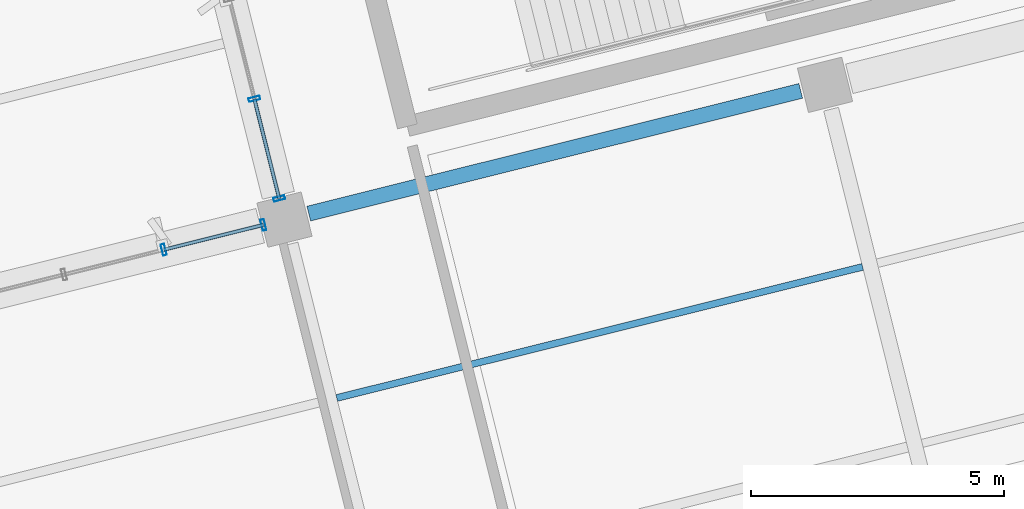
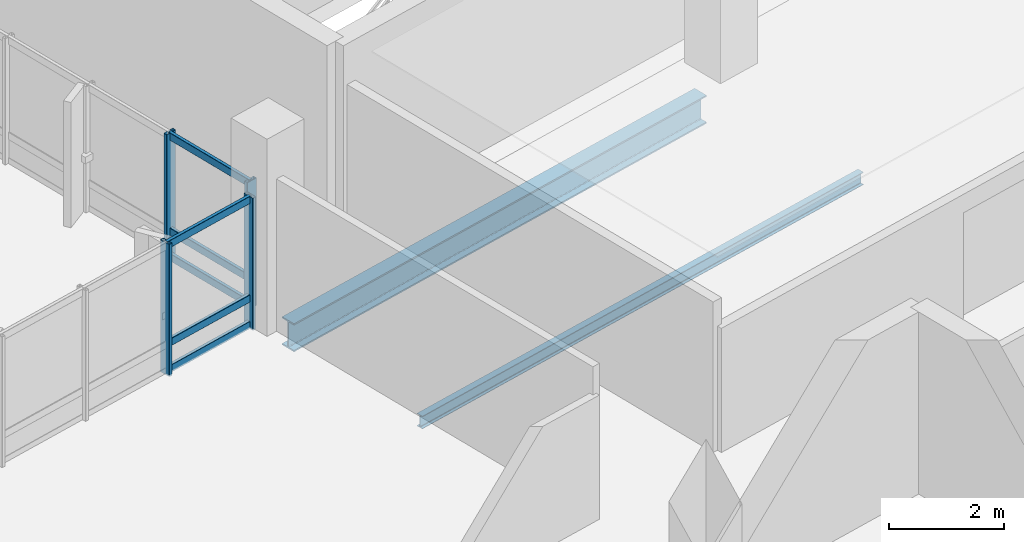
# One storey, part 11 of 42: 10 members, 2 beams, 2 elements without a shape of their own.
"""IFC4 building model written with IfcOpenShell, lengths in metres."""

from ifc_helpers import new_model, si_unit, direction, frame, origin, origin_2d, place, context, subcontext, project, spatial, hollow_rectangle, i_section, extrude, material, layer, layer_set, material_profile, profile_set, type_object, element, aggregate, save


model = new_model("IFC4")

# Units and contexts
model_context = context("Model", 3, precision=1e-05, world=origin(), true_north=direction((0.0, 1.0)))
body_context = subcontext(model_context, "Body", "Model", "MODEL_VIEW")
ifc_project = project(units=[si_unit("LENGTHUNIT", "METRE"), si_unit("AREAUNIT", "SQUARE_METRE"), si_unit("VOLUMEUNIT", "CUBIC_METRE"), si_unit("PLANEANGLEUNIT", "RADIAN"), si_unit("MASSUNIT", "GRAM", prefix="KILO")], contexts=[model_context])

# Site, building, storey
site_placement = place(None, origin())
site = spatial("IfcSite", under=ifc_project, at=site_placement, CompositionType="ELEMENT")
building_placement = place(site_placement, origin())
building = spatial("IfcBuilding", under=site, at=building_placement, Name="Khorjan Park Terminus", CompositionType="ELEMENT")
storey_placement = place(building_placement, frame((0.0, 0.0, 20.4)))
storey = spatial("IfcBuildingStorey", under=building, at=storey_placement, Name="L04", CompositionType="ELEMENT", Elevation=20.4)

# Beams
ifc_material_1 = material(Name="Steel S355", Category="steel")
ifc_material_profile_1 = material_profile(ifc_material_1, i_section(OverallWidth=0.3, OverallDepth=0.6, WebThickness=0.0155, FlangeThickness=0.03, FilletRadius=0.027, at=origin_2d()), Name="HEB 600")
ifc_profile_set_1 = profile_set([ifc_material_profile_1], Name="Steel S355")
beam_type_1 = type_object("IfcBeamType", Name="BM-HEB600", PredefinedType="BEAM", material=ifc_profile_set_1)
beam_1_placement = place(storey_placement, frame((203.851, 34.1108, -0.64), z_axis=(0.970294509049, 0.241926777576, 0.0), x_axis=(-0.241926777576, 0.970294509049, 0.0)))
element("IfcBeam", 1, at=beam_1_placement, inside=storey, type_object=beam_type_1, Name="Primary skew-grid floor girder SB-B60 (L04)", PredefinedType="BEAM", context=body_context, shape_type="SweptSolid", body=[
    extrude(i_section(OverallWidth=0.3, OverallDepth=0.6, WebThickness=0.0155, FlangeThickness=0.03, FilletRadius=0.027, at=origin_2d()), origin(), (0.0, 0.0, 1.0), 10.0101),
])
ifc_material_profile_2 = material_profile(ifc_material_1, i_section(OverallWidth=0.135, OverallDepth=0.27, WebThickness=0.0066, FlangeThickness=0.0102, FilletRadius=0.015, at=origin_2d()), Name="IPE 270")
ifc_profile_set_2 = profile_set([ifc_material_profile_2], Name="Steel S355")
beam_type_2 = type_object("IfcBeamType", Name="JS-IPE270", PredefinedType="JOIST", material=ifc_profile_set_2)
beam_2_placement = place(storey_placement, frame((204.4033, 30.4696, -0.475), z_axis=(0.970297331913, 0.241915455651, 0.0), x_axis=(-0.241915455651, 0.970297331913, 0.0)))
element("IfcBeam", 2, at=beam_2_placement, inside=storey, type_object=beam_type_2, Name="Secondary composite floor joist SJ-27 (L04)", PredefinedType="JOIST", context=body_context, shape_type="SweptSolid", body=[
    extrude(i_section(OverallWidth=0.135, OverallDepth=0.27, WebThickness=0.0066, FlangeThickness=0.0102, FilletRadius=0.015, at=origin_2d()), origin(), (0.0, 0.0, 1.0), 10.7),
])

# Curtain wall, members
ifc_material_2 = material(Name="Anodized Bronze Aluminium", Category="aluminium")
ifc_layer = layer(ifc_material_2, 0.22)
ifc_layer_set = layer_set([ifc_layer], Name="Anodized Bronze Aluminium")
curtain_wall_type = type_object("IfcCurtainWallType", Name="CW-OPS-B", PredefinedType="NOTDEFINED", material=ifc_layer_set)
curtain_wall_1_placement = place(storey_placement, origin())
curtain_wall_1 = element("IfcCurtainWall", 3, at=curtain_wall_1_placement, inside=storey, type_object=curtain_wall_type, Name="Unitized curtain wall CW-B (CW-V5-NW1-L04-B03)", PredefinedType="NOTDEFINED")
ifc_material_profile_3 = material_profile(ifc_material_2, hollow_rectangle(XDim=0.075, YDim=0.225, WallThickness=0.005, InnerFilletRadius=0.005, OuterFilletRadius=0.01, at=origin_2d()), Name="ALM 75x225x5")
ifc_profile_set_3 = profile_set([ifc_material_profile_3], Name="Anodized Bronze Aluminium")
member_type_1 = type_object("IfcMemberType", Name="ML-ALM-225", PredefinedType="MULLION", material=ifc_profile_set_3)
member_1_placement = place(storey_placement, frame((202.7761, 36.3759, -0.035), z_axis=(0.0, 0.0, 1.0), x_axis=(0.241920636916, -0.9702960401, 0.0)))
member_1 = element("IfcMember", 4, at=member_1_placement, type_object=member_type_1, Name="Curtain-wall mullion ML-22 (CW-V5-NW1-L04-B03-4)", PredefinedType="MULLION", context=body_context, shape_type="SweptSolid", body=[
    extrude(hollow_rectangle(XDim=0.075, YDim=0.225, WallThickness=0.005, InnerFilletRadius=0.005, OuterFilletRadius=0.01, at=origin_2d()), origin(), (0.0, 0.0, 1.0), 2.72),
])
member_2_placement = place(storey_placement, frame((203.2667, 34.4082, -0.035), z_axis=(0.0, 0.0, 1.0), x_axis=(0.241920636916, -0.9702960401, 0.0)))
member_2 = element("IfcMember", 5, at=member_2_placement, type_object=member_type_1, Name="Curtain-wall mullion ML-22 (CW-V5-NW1-L04-B03-5)", PredefinedType="MULLION", context=body_context, shape_type="SweptSolid", body=[
    extrude(hollow_rectangle(XDim=0.075, YDim=0.225, WallThickness=0.005, InnerFilletRadius=0.005, OuterFilletRadius=0.01, at=origin_2d()), origin(), (0.0, 0.0, 1.0), 2.72),
])

curtain_wall_2_placement = place(storey_placement, origin())
curtain_wall_2 = element("IfcCurtainWall", 6, at=curtain_wall_2_placement, inside=storey, type_object=curtain_wall_type, Name="Unitized curtain wall CW-B (CW-V5-NW2-L04-B01)", PredefinedType="NOTDEFINED")
member_3_placement = place(storey_placement, frame((202.9537, 33.8871, -0.035), z_axis=(0.0, 0.0, 1.0), x_axis=(-0.970294289952, -0.241927656308, 0.0)))
member_3 = element("IfcMember", 7, at=member_3_placement, type_object=member_type_1, Name="Curtain-wall mullion ML-22 (CW-V5-NW2-L04-B01-0)", PredefinedType="MULLION", context=body_context, shape_type="SweptSolid", body=[
    extrude(hollow_rectangle(XDim=0.075, YDim=0.225, WallThickness=0.005, InnerFilletRadius=0.005, OuterFilletRadius=0.01, at=origin_2d()), origin(), (0.0, 0.0, 1.0), 2.815),
])
member_4_placement = place(storey_placement, frame((200.9858, 33.3964, -0.035), z_axis=(0.0, 0.0, 1.0), x_axis=(-0.970294289952, -0.241927656308, 0.0)))
member_4 = element("IfcMember", 8, at=member_4_placement, type_object=member_type_1, Name="Curtain-wall mullion ML-22 (CW-V5-NW2-L04-B01-1)", PredefinedType="MULLION", context=body_context, shape_type="SweptSolid", body=[
    extrude(hollow_rectangle(XDim=0.075, YDim=0.225, WallThickness=0.005, InnerFilletRadius=0.005, OuterFilletRadius=0.01, at=origin_2d()), origin(), (0.0, 0.0, 1.0), 2.815),
])

# Member
ifc_material_profile_4 = material_profile(ifc_material_2, hollow_rectangle(XDim=0.07, YDim=0.16, WallThickness=0.004, InnerFilletRadius=0.004, OuterFilletRadius=0.008, at=origin_2d()), Name="ALT 70x160x4")
ifc_profile_set_4 = profile_set([ifc_material_profile_4], Name="Anodized Bronze Aluminium")
member_type_2 = type_object("IfcMemberType", Name="TR-ALT-160", PredefinedType="USERDEFINED", material=ifc_profile_set_4)
member_5_placement = place(storey_placement, frame((202.7761, 36.3759, 0.04), z_axis=(0.241920636922, -0.970296040099, 0.0), x_axis=(0.970296040099, 0.241920636922, 0.0)))
member_5 = element("IfcMember", 9, at=member_5_placement, type_object=member_type_2, Name="Curtain-wall transom TR-16 (CW-V5-NW1-L04-B03-4-1)", ObjectType="TRANSOM", PredefinedType="USERDEFINED", context=body_context, shape_type="SweptSolid", body=[
    extrude(hollow_rectangle(XDim=0.07, YDim=0.16, WallThickness=0.004, InnerFilletRadius=0.004, OuterFilletRadius=0.008, at=origin_2d()), origin(), (0.0, 0.0, 1.0), 2.0279),
])

member_6_placement = place(storey_placement, frame((202.7761, 36.3759, 0.583), z_axis=(0.241920636922, -0.970296040099, 0.0), x_axis=(0.970296040099, 0.241920636922, 0.0)))
member_6 = element("IfcMember", 10, at=member_6_placement, type_object=member_type_2, Name="Curtain-wall transom TR-16 (CW-V5-NW1-L04-B03-4-2)", ObjectType="TRANSOM", PredefinedType="USERDEFINED", context=body_context, shape_type="SweptSolid", body=[
    extrude(hollow_rectangle(XDim=0.07, YDim=0.16, WallThickness=0.004, InnerFilletRadius=0.004, OuterFilletRadius=0.008, at=origin_2d()), origin(), (0.0, 0.0, 1.0), 2.0279),
])

member_7_placement = place(storey_placement, frame((202.7761, 36.3759, 2.61), z_axis=(0.241920636922, -0.970296040099, 0.0), x_axis=(0.970296040099, 0.241920636922, 0.0)))
member_7 = element("IfcMember", 11, at=member_7_placement, type_object=member_type_2, Name="Curtain-wall transom TR-16 (CW-V5-NW1-L04-B03-4-3)", ObjectType="TRANSOM", PredefinedType="USERDEFINED", context=body_context, shape_type="SweptSolid", body=[
    extrude(hollow_rectangle(XDim=0.07, YDim=0.16, WallThickness=0.004, InnerFilletRadius=0.004, OuterFilletRadius=0.008, at=origin_2d()), origin(), (0.0, 0.0, 1.0), 2.0279),
])

aggregate(curtain_wall_1, [member_1, member_2, member_5, member_6, member_7])

member_8_placement = place(storey_placement, frame((202.9537, 33.8871, 0.04), z_axis=(-0.970290237335, -0.241943909477, 0.0), x_axis=(0.241943909477, -0.970290237335, 0.0)))
member_8 = element("IfcMember", 12, at=member_8_placement, type_object=member_type_2, Name="Curtain-wall transom TR-16 (CW-V5-NW2-L04-B01-0-1)", ObjectType="TRANSOM", PredefinedType="USERDEFINED", context=body_context, shape_type="SweptSolid", body=[
    extrude(hollow_rectangle(XDim=0.07, YDim=0.16, WallThickness=0.004, InnerFilletRadius=0.004, OuterFilletRadius=0.008, at=origin_2d()), origin(), (0.0, 0.0, 1.0), 2.0282),
])

member_9_placement = place(storey_placement, frame((202.9537, 33.8871, 0.604), z_axis=(-0.970290237335, -0.241943909477, 0.0), x_axis=(0.241943909477, -0.970290237335, 0.0)))
member_9 = element("IfcMember", 13, at=member_9_placement, type_object=member_type_2, Name="Curtain-wall transom TR-16 (CW-V5-NW2-L04-B01-0-2)", ObjectType="TRANSOM", PredefinedType="USERDEFINED", context=body_context, shape_type="SweptSolid", body=[
    extrude(hollow_rectangle(XDim=0.07, YDim=0.16, WallThickness=0.004, InnerFilletRadius=0.004, OuterFilletRadius=0.008, at=origin_2d()), origin(), (0.0, 0.0, 1.0), 2.0282),
])

member_10_placement = place(storey_placement, frame((202.9537, 33.8871, 2.705), z_axis=(-0.970290237335, -0.241943909477, 0.0), x_axis=(0.241943909477, -0.970290237335, 0.0)))
member_10 = element("IfcMember", 14, at=member_10_placement, type_object=member_type_2, Name="Curtain-wall transom TR-16 (CW-V5-NW2-L04-B01-0-3)", ObjectType="TRANSOM", PredefinedType="USERDEFINED", context=body_context, shape_type="SweptSolid", body=[
    extrude(hollow_rectangle(XDim=0.07, YDim=0.16, WallThickness=0.004, InnerFilletRadius=0.004, OuterFilletRadius=0.008, at=origin_2d()), origin(), (0.0, 0.0, 1.0), 2.0282),
])

aggregate(curtain_wall_2, [member_3, member_4, member_8, member_9, member_10])

save(model, "model.ifc")
